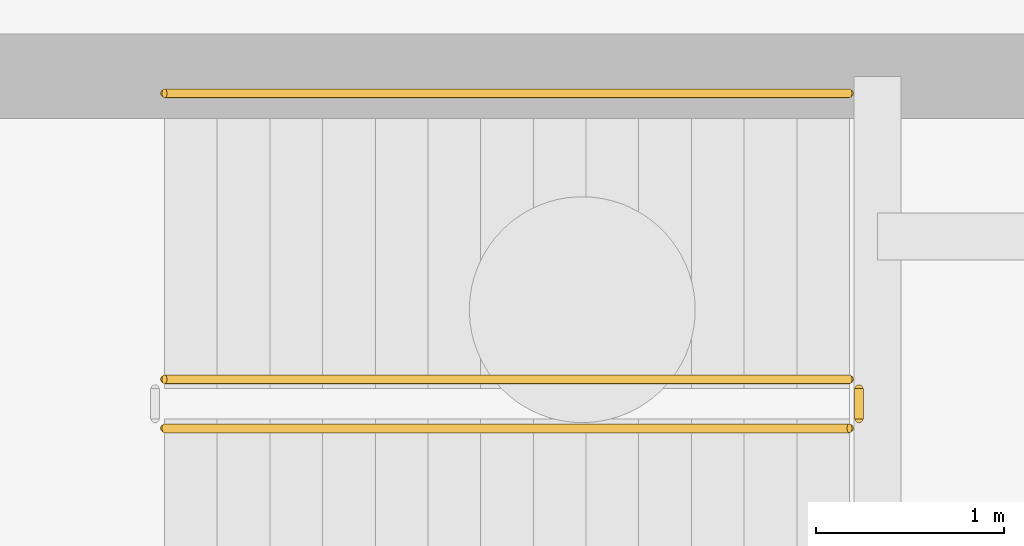
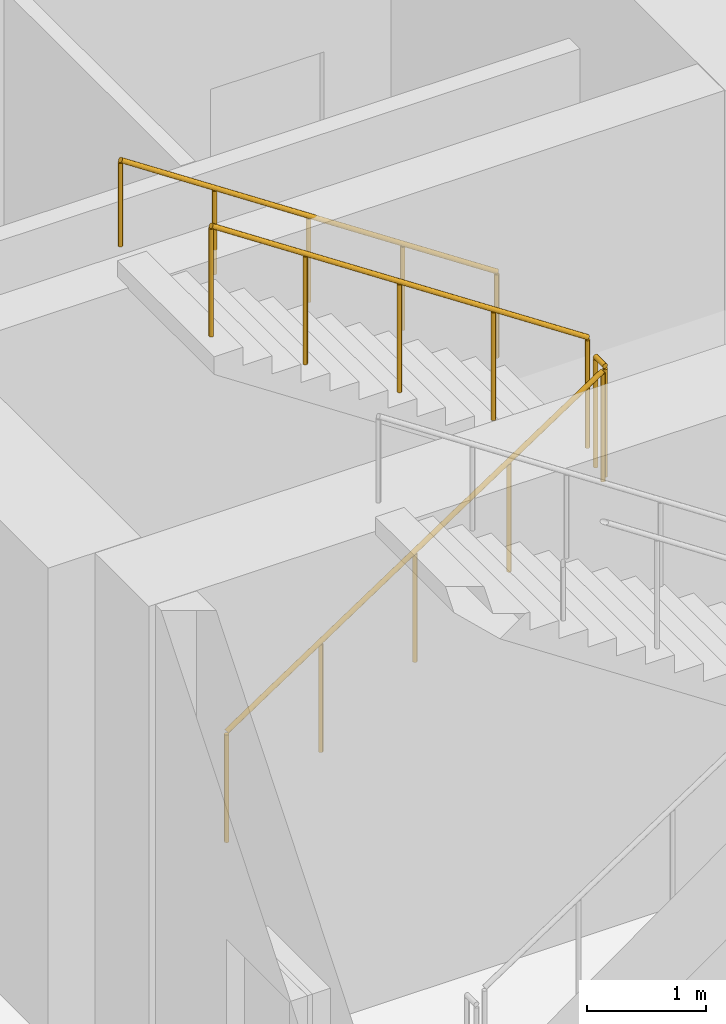
# One storey, part 12 of 14: 4 railings.
"""IFC4 building model written with IfcOpenShell, lengths in metres."""

from ifc_helpers import new_model, si_unit, direction, frame, origin, origin_2d, place, context, subcontext, project, spatial, circle, extrude, material, type_object, element, save


model = new_model("IFC4")

# Units and contexts
model_context = context("Model", 3, precision=1e-05, world=origin(), true_north=direction((0.0, 1.0)))
body_context = subcontext(model_context, "Body", "Model", "MODEL_VIEW")
ifc_project = project(units=[si_unit("LENGTHUNIT", "METRE"), si_unit("AREAUNIT", "SQUARE_METRE"), si_unit("VOLUMEUNIT", "CUBIC_METRE"), si_unit("PLANEANGLEUNIT", "RADIAN"), si_unit("MASSUNIT", "GRAM", prefix="KILO")], contexts=[model_context])

# Site, building, storey
site_placement = place(None, origin())
site = spatial("IfcSite", under=ifc_project, at=site_placement, CompositionType="ELEMENT")
building_placement = place(site_placement, origin())
building = spatial("IfcBuilding", under=site, at=building_placement, Name="Qingluan Cross Belvedere", CompositionType="ELEMENT")
storey_placement = place(building_placement, frame((0.0, 0.0, -10.39990234375)))
storey = spatial("IfcBuildingStorey", under=building, at=storey_placement, Name="B2", CompositionType="ELEMENT", Elevation=-10.39990234375)

# Railings
ifc_material_1 = material(Name="Brushed stainless steel tubular handrail", Category="steel")
railing_type_1 = type_object("IfcRailingType", Name="StairPitchHandrail_900", PredefinedType="HANDRAIL", material=ifc_material_1)
railing_1_placement = place(storey_placement, frame((9.820068359375, -3.050048828125, 2.78564453125)))
element("IfcRailing", 1, at=railing_1_placement, inside=storey, type_object=railing_type_1, Name="B2 ST2 stair handrail 2", PredefinedType="HANDRAIL", context=body_context, shape_type="SweptSolid", body=[
    extrude(circle(Radius=0.02392578125, at=origin_2d()), frame((0.0, 0.0, 0.8759765625), z_axis=(-0.833363587613, 0.0, 0.552725185641), x_axis=(0.0, -1.0, 0.0)), (0.0, 0.0, 1.0), 4.367919921875),
    extrude(circle(Radius=0.02099609375, at=origin_2d()), origin(), (0.0, 0.0, 1.0), 0.851806640625),
    extrude(circle(Radius=0.02099609375, at=origin_2d()), frame((-0.91015625, 0.0, 0.603515625)), (0.0, 0.0, 1.0), 0.851806640625),
    extrude(circle(Radius=0.02099609375, at=origin_2d()), frame((-1.820068359375, 0.0, 1.20703125)), (0.0, 0.0, 1.0), 0.851806640625),
    extrude(circle(Radius=0.02099609375, at=origin_2d()), frame((-2.72998046875, 0.0, 1.810791015625)), (0.0, 0.0, 1.0), 0.851806640625),
    extrude(circle(Radius=0.02099609375, at=origin_2d()), frame((-3.64013671875, 0.0, 2.414306640625)), (0.0, 0.0, 1.0), 0.851806640625),
])
ifc_material_2 = material(Name="Painted steel stair well guard", Category="steel")
railing_type_2 = type_object("IfcRailingType", Name="StairWellGuard_1150", PredefinedType="BALUSTRADE", material=ifc_material_2)
railing_2_placement = place(storey_placement, frame((6.179931640625, -4.830078125, 0.185546875)))
element("IfcRailing", 2, at=railing_2_placement, inside=storey, type_object=railing_type_2, Name="B2 ST2 stair guard 1", PredefinedType="BALUSTRADE", context=body_context, shape_type="SweptSolid", body=[
    extrude(circle(Radius=0.02392578125, at=origin_2d()), frame((0.0, 0.0, 1.1259765625), z_axis=(0.833363587613, 0.0, 0.552725185641), x_axis=(0.0, 1.0, 0.0)), (0.0, 0.0, 1.0), 4.367919921875),
    extrude(circle(Radius=0.02099609375, at=origin_2d()), origin(), (0.0, 0.0, 1.0), 1.101806640625),
    extrude(circle(Radius=0.02099609375, at=origin_2d()), frame((0.91015625, 0.0, 0.603515625)), (0.0, 0.0, 1.0), 1.101806640625),
    extrude(circle(Radius=0.02099609375, at=origin_2d()), frame((1.820068359375, 0.0, 1.20703125)), (0.0, 0.0, 1.0), 1.101806640625),
    extrude(circle(Radius=0.02099609375, at=origin_2d()), frame((2.72998046875, 0.0, 1.810791015625)), (0.0, 0.0, 1.0), 1.101806640625),
    extrude(circle(Radius=0.02099609375, at=origin_2d()), frame((3.64013671875, 0.0, 2.414306640625)), (0.0, 0.0, 1.0), 1.101806640625),
])
railing_3_placement = place(storey_placement, frame((9.8701171875, -4.780029296875, 2.599853515625)))
element("IfcRailing", 3, at=railing_3_placement, inside=storey, type_object=railing_type_2, Name="B2 ST2 stair guard 2", PredefinedType="BALUSTRADE", context=body_context, shape_type="SweptSolid", body=[
    extrude(circle(Radius=0.02392578125, at=origin_2d()), frame((0.0, 0.0, 1.1259765625), z_axis=(0.0, 1.0, 0.0), x_axis=(-1.0, 0.0, 0.0)), (0.0, 0.0, 1.0), 0.159912109375),
    extrude(circle(Radius=0.02099609375, at=origin_2d()), origin(), (0.0, 0.0, 1.0), 1.101806640625),
    extrude(circle(Radius=0.02099609375, at=origin_2d()), frame((0.0, 0.159912109375, 0.0)), (0.0, 0.0, 1.0), 1.101806640625),
])
railing_4_placement = place(storey_placement, frame((9.820068359375, -4.570068359375, 2.78564453125)))
element("IfcRailing", 4, at=railing_4_placement, inside=storey, type_object=railing_type_2, Name="B2 ST2 stair guard 3", PredefinedType="BALUSTRADE", context=body_context, shape_type="SweptSolid", body=[
    extrude(circle(Radius=0.02392578125, at=origin_2d()), frame((0.0, 0.0, 1.1259765625), z_axis=(-0.833363587613, 0.0, 0.552725185641), x_axis=(0.0, -1.0, 0.0)), (0.0, 0.0, 1.0), 4.367919921875),
    extrude(circle(Radius=0.02099609375, at=origin_2d()), origin(), (0.0, 0.0, 1.0), 1.101806640625),
    extrude(circle(Radius=0.02099609375, at=origin_2d()), frame((-0.91015625, 0.0, 0.603515625)), (0.0, 0.0, 1.0), 1.101806640625),
    extrude(circle(Radius=0.02099609375, at=origin_2d()), frame((-1.820068359375, 0.0, 1.20703125)), (0.0, 0.0, 1.0), 1.101806640625),
    extrude(circle(Radius=0.02099609375, at=origin_2d()), frame((-2.72998046875, 0.0, 1.810791015625)), (0.0, 0.0, 1.0), 1.101806640625),
    extrude(circle(Radius=0.02099609375, at=origin_2d()), frame((-3.64013671875, 0.0, 2.414306640625)), (0.0, 0.0, 1.0), 1.101806640625),
])

save(model, "model.ifc")
